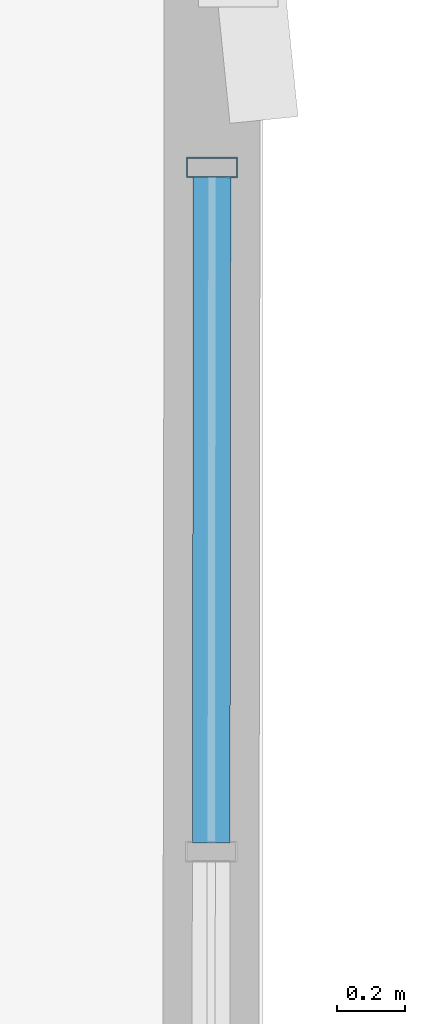
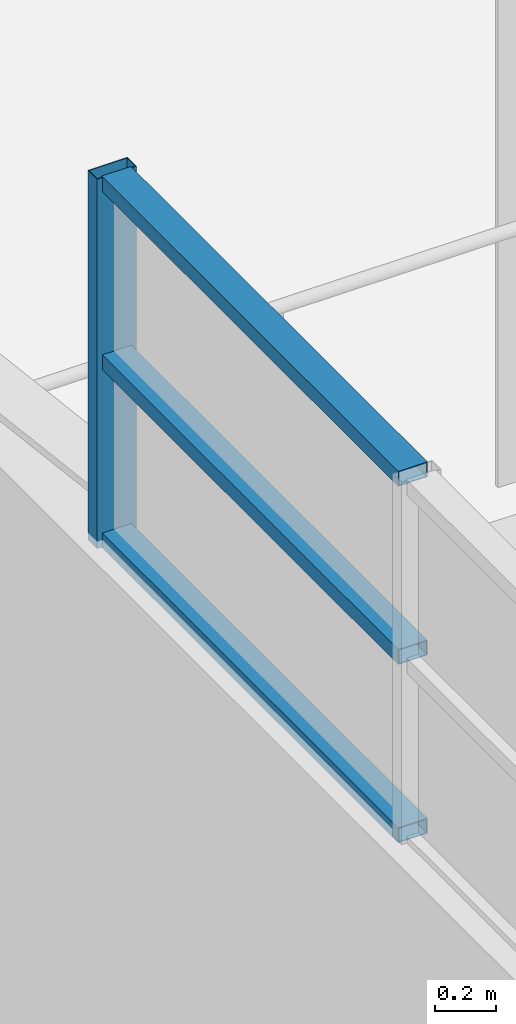
# One storey, part 46 of 118: 4 members, 1 element without a shape of its own.
"""IFC4 building model written with IfcOpenShell, lengths in metres."""

from ifc_helpers import new_model, si_unit, direction, frame, origin, origin_2d, place, context, subcontext, project, spatial, hollow_rectangle, extrude, material, layer, layer_set, material_profile, profile_set, type_object, element, aggregate, save


model = new_model("IFC4")

# Units and contexts
model_context = context("Model", 3, precision=1e-05, world=origin(), true_north=direction((0.0, 1.0)))
body_context = subcontext(model_context, "Body", "Model", "MODEL_VIEW")
ifc_project = project(units=[si_unit("LENGTHUNIT", "METRE"), si_unit("AREAUNIT", "SQUARE_METRE"), si_unit("VOLUMEUNIT", "CUBIC_METRE"), si_unit("PLANEANGLEUNIT", "RADIAN"), si_unit("MASSUNIT", "GRAM", prefix="KILO"), si_unit("THERMODYNAMICTEMPERATUREUNIT", "KELVIN"), si_unit("POWERUNIT", "WATT")], contexts=[model_context])

# Site, building, storey
site_placement = place(None, origin())
site = spatial("IfcSite", under=ifc_project, at=site_placement, CompositionType="ELEMENT")
building_placement = place(site_placement, origin())
building = spatial("IfcBuilding", under=site, at=building_placement, Name="Zelmaris Science Centre", CompositionType="ELEMENT")
storey_placement = place(building_placement, frame((0.0, 0.0, 15.60009765625)))
storey = spatial("IfcBuildingStorey", under=building, at=storey_placement, Name="L03", CompositionType="ELEMENT", Elevation=15.60009765625)

# Curtain wall, members
ifc_material = material(Name="Anodised architectural aluminium 6063-T6", Category="aluminium")
ifc_layer = layer(ifc_material, 0.219970703125, Name="Anodised architectural aluminium 6063-T6")
ifc_layer_set = layer_set([ifc_layer], Name="Anodised architectural aluminium 6063-T6")
curtain_wall_type = type_object("IfcCurtainWallType", Name="Curtain Wall CW-04", PredefinedType="USERDEFINED", material=ifc_layer_set)
curtain_wall_placement = place(storey_placement, origin())
curtain_wall = element("IfcCurtainWall", 1, at=curtain_wall_placement, inside=storey, type_object=curtain_wall_type, Name="L03 Clerestory curtain wall 336", ObjectType="GLAZED CURTAIN WALL", PredefinedType="USERDEFINED")
ifc_material_profile_1 = material_profile(ifc_material, hollow_rectangle(XDim=0.06005859375, YDim=0.14990234375, WallThickness=0.00341796875, at=origin_2d()), Name="ALU-MUL-60X150")
ifc_profile_set_1 = profile_set([ifc_material_profile_1], Name="Anodised architectural aluminium 6063-T6")
member_type_1 = type_object("IfcMemberType", Name="ALU-MUL-60X150", PredefinedType="MULLION", material=ifc_profile_set_1)
member_1_placement = place(storey_placement, frame((86.850830078125, 61.55224609375, 2.419921875), z_axis=(0.0, 0.0, 1.0), x_axis=(-0.001148426395, -0.999999340558, 0.0)))
member_1 = element("IfcMember", 2, at=member_1_placement, type_object=member_type_1, Name="CW-04 mullion 1", PredefinedType="MULLION", context=body_context, shape_type="SweptSolid", body=[
    extrude(hollow_rectangle(XDim=0.06005859375, YDim=0.14990234375, WallThickness=0.00341796875, at=origin_2d()), origin(), (0.0, 0.0, 1.0), 1.47705078125),
])
ifc_material_profile_2 = material_profile(ifc_material, hollow_rectangle(XDim=0.06005859375, YDim=0.110107421875, WallThickness=0.0029296875, at=origin_2d()), Name="ALU-TRN-60X110")
ifc_profile_set_2 = profile_set([ifc_material_profile_2], Name="Anodised architectural aluminium 6063-T6")
member_type_2 = type_object("IfcMemberType", Name="ALU-TRN-60X110", PredefinedType="USERDEFINED", material=ifc_profile_set_2)
member_2_placement = place(storey_placement, frame((86.850830078125, 61.526123046875, 2.44580078125), z_axis=(-0.001128667453, -0.999999363055, 0.0), x_axis=(0.0, 0.0, 1.0)))
member_2 = element("IfcMember", 3, at=member_2_placement, type_object=member_type_2, Name="CW-04 transom 1.1", ObjectType="TRANSOM", PredefinedType="USERDEFINED", context=body_context, shape_type="SweptSolid", body=[
    extrude(hollow_rectangle(XDim=0.06005859375, YDim=0.110107421875, WallThickness=0.0029296875, at=origin_2d()), origin(), (0.0, 0.0, 1.0), 1.94677734375),
])
member_3_placement = place(storey_placement, frame((86.850830078125, 61.526123046875, 3.158447265625), z_axis=(-0.001128667453, -0.999999363055, 0.0), x_axis=(0.0, 0.0, 1.0)))
member_3 = element("IfcMember", 4, at=member_3_placement, type_object=member_type_2, Name="CW-04 transom 1.2", ObjectType="TRANSOM", PredefinedType="USERDEFINED", context=body_context, shape_type="SweptSolid", body=[
    extrude(hollow_rectangle(XDim=0.06005859375, YDim=0.110107421875, WallThickness=0.0029296875, at=origin_2d()), origin(), (0.0, 0.0, 1.0), 1.94677734375),
])
member_4_placement = place(storey_placement, frame((86.850830078125, 61.526123046875, 3.870849609375), z_axis=(-0.001128667453, -0.999999363055, 0.0), x_axis=(0.0, 0.0, 1.0)))
member_4 = element("IfcMember", 5, at=member_4_placement, type_object=member_type_2, Name="CW-04 transom 1.3", ObjectType="TRANSOM", PredefinedType="USERDEFINED", context=body_context, shape_type="SweptSolid", body=[
    extrude(hollow_rectangle(XDim=0.06005859375, YDim=0.110107421875, WallThickness=0.0029296875, at=origin_2d()), origin(), (0.0, 0.0, 1.0), 1.94677734375),
])
aggregate(curtain_wall, [member_1, member_2, member_3, member_4])

save(model, "model.ifc")
